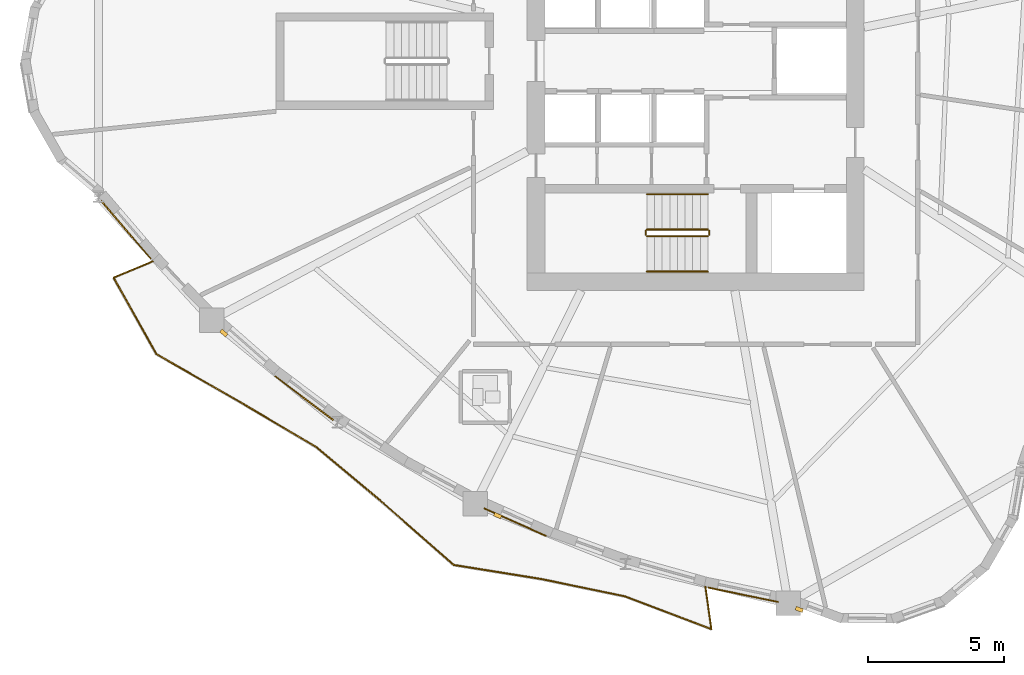
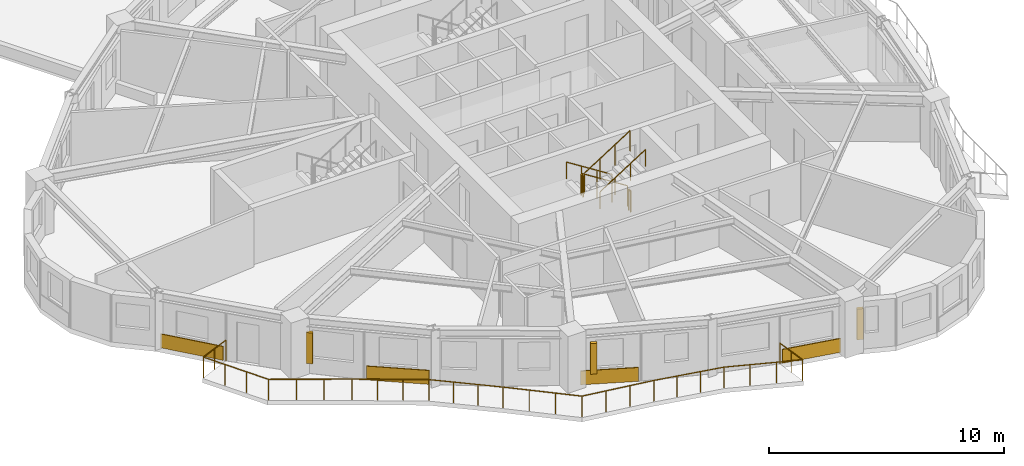
# One storey, part 10 of 13: 7 railings, 4 coverings, 3 shading devices.
"""IFC4 building model written with IfcOpenShell, lengths in metres."""

import ifcopenshell
import ifcopenshell.guid

model = None  # the IFC model being written
_history = None  # IfcOwnerHistory: only IFC2X3 demands one
_inside = {}  # id of a spatial element -> (the spatial element, [elements in it])
_under = {}  # id of a project, library or spatial element -> (it, [spatial elements below it])
_declared = {}  # id of a project -> (the project, [libraries it declares])
_typed = {}  # id of a type object -> (the type object, [elements of that type])
_made_of = {}  # id of a material, layer set ... -> (it, [elements and type objects made of it])


def new_model(schema):
    """Start an empty IFC model of exactly this schema.

    Asked for "IFC4X3", IfcOpenShell would pick the latest addendum, in which some entities
    have other attributes; the version numbers below select the first issue.
    IFC2X3 requires an IfcOwnerHistory on every rooted entity: one is made here for all.
    """
    global model, _history
    if schema == "IFC4X3":
        model = ifcopenshell.file(schema_version=(4, 3, 0, 0))
    else:
        model = ifcopenshell.file(schema=schema)
    _inside.clear()
    _under.clear()
    _declared.clear()
    _typed.clear()
    _made_of.clear()
    _history = None
    if model.schema == "IFC2X3":
        org = make("IfcOrganization", Name="unknown")
        user = make(
            "IfcPersonAndOrganization",
            ThePerson=make("IfcPerson", FamilyName="unknown"),
            TheOrganization=org,
        )
        app = make(
            "IfcApplication",
            ApplicationDeveloper=org,
            Version="unknown",
            ApplicationFullName="unknown",
            ApplicationIdentifier="unknown",
        )
        _history = make(
            "IfcOwnerHistory",
            OwningUser=user,
            OwningApplication=app,
            ChangeAction="ADDED",
            CreationDate=0,
        )
    return model


def make(cls, **values):
    """One entity of the class cls with the attributes given. An attribute that is None is left unset."""
    return model.create_entity(
        cls, **{name: value for name, value in values.items() if value is not None}
    )


def rooted(cls, **values):
    """An entity with a GlobalId (a new one), such as an element, a storey or a relation."""
    return make(cls, GlobalId=ifcopenshell.guid.new(), OwnerHistory=_history, **values)


def si_unit(unit_type, name, prefix=None):
    """IfcSIUnit, for example si_unit("LENGTHUNIT", "METRE", prefix="MILLI")."""
    return make("IfcSIUnit", UnitType=unit_type, Prefix=prefix, Name=name)


def assignment(units):
    """IfcUnitAssignment: the units of a project."""
    return None if units is None else make("IfcUnitAssignment", Units=units)


def point(xyz):
    """IfcCartesianPoint."""
    return None if xyz is None else make("IfcCartesianPoint", Coordinates=xyz)


def direction(xyz):
    """IfcDirection."""
    return None if xyz is None else make("IfcDirection", DirectionRatios=xyz)


def frame(location, z_axis=None, x_axis=None):
    """IfcAxis2Placement3D, a coordinate frame: its origin and axes. An axis left out is left unset."""
    return make(
        "IfcAxis2Placement3D",
        Location=point(location),
        Axis=direction(z_axis),
        RefDirection=direction(x_axis),
    )


def frame_2d(location, x_axis=None):
    """IfcAxis2Placement2D, a coordinate frame in the plane: its origin and x axis."""
    return make(
        "IfcAxis2Placement2D", Location=point(location), RefDirection=direction(x_axis)
    )


def origin():
    """The frame at (0, 0, 0) with its axes left unset."""
    return frame((0.0, 0.0, 0.0))


def origin_2d():
    """The frame at (0, 0) in the plane with its x axis left unset."""
    return frame_2d((0.0, 0.0))


def place(relative_to, where):
    """IfcLocalPlacement: puts the frame where relative to a parent placement (None: the world)."""
    return make(
        "IfcLocalPlacement", PlacementRelTo=relative_to, RelativePlacement=where
    )


def context(
    kind, dimensions, precision=None, world=None, true_north=None, identifier=None
):
    """IfcGeometricRepresentationContext, for example the 3D "Model" context."""
    return make(
        "IfcGeometricRepresentationContext",
        ContextIdentifier=identifier,
        ContextType=kind,
        CoordinateSpaceDimension=dimensions,
        Precision=precision,
        WorldCoordinateSystem=world,
        TrueNorth=true_north,
    )


def subcontext(parent, identifier, kind, view, scale=None):
    """IfcGeometricRepresentationSubContext, for example "Body" below "Model"."""
    return make(
        "IfcGeometricRepresentationSubContext",
        ContextIdentifier=identifier,
        ContextType=kind,
        ParentContext=parent,
        TargetScale=scale,
        TargetView=view,
    )


def project(units=None, contexts=None):
    """IfcProject with its units and contexts."""
    return rooted(
        "IfcProject",
        Name="project",
        RepresentationContexts=contexts,
        UnitsInContext=assignment(units),
    )


def spatial(cls, under=None, at=None, **own):
    """A site, building, storey or space (cls), placed at a placement, below another one or the project."""
    s = rooted(cls, ObjectPlacement=at, **own)
    if under is not None:
        _under.setdefault(under.id(), (under, []))[1].append(s)
    return s


def profile(cls, at=None, kind="AREA", **sizes):
    """A parametric profile (cls). Its sizes go by their IFC names, for example OverallWidth=200.0."""
    return make(cls, ProfileType=kind, Position=at, **sizes)


def rectangle(**sizes):
    """IfcRectangleProfileDef."""
    return profile("IfcRectangleProfileDef", **sizes)


def circle(**sizes):
    """IfcCircleProfileDef."""
    return profile("IfcCircleProfileDef", **sizes)


def extrude(swept, where, along, depth):
    """IfcExtrudedAreaSolid: the profile swept, set in the frame where, extruded along a direction by depth."""
    return make(
        "IfcExtrudedAreaSolid",
        SweptArea=swept,
        Position=where,
        ExtrudedDirection=direction(along),
        Depth=depth,
    )


def shape(context_of_items, identifier, shape_type, items):
    """IfcShapeRepresentation: the items that make up one representation, for example the "Body"."""
    return make(
        "IfcShapeRepresentation",
        ContextOfItems=context_of_items,
        RepresentationIdentifier=identifier,
        RepresentationType=shape_type,
        Items=items,
    )


def source(mapping_origin, context_of_items, identifier, shape_type, items):
    """IfcRepresentationMap: a shape defined once, which mapped items show again and again."""
    return make(
        "IfcRepresentationMap",
        MappingOrigin=mapping_origin,
        MappedRepresentation=shape(context_of_items, identifier, shape_type, items),
    )


def transform(
    local_origin,
    x_axis=None,
    y_axis=None,
    z_axis=None,
    scale=None,
    scale2=None,
    scale3=None,
    uniform=True,
):
    """IfcCartesianTransformationOperator3D, or its non-uniform kind. x_axis, y_axis, z_axis: its Axis1, 2, 3."""
    if uniform:
        return make(
            "IfcCartesianTransformationOperator3D",
            Axis1=direction(x_axis),
            Axis2=direction(y_axis),
            LocalOrigin=point(local_origin),
            Scale=scale,
            Axis3=direction(z_axis),
        )
    return make(
        "IfcCartesianTransformationOperator3DnonUniform",
        Axis1=direction(x_axis),
        Axis2=direction(y_axis),
        LocalOrigin=point(local_origin),
        Scale=scale,
        Axis3=direction(z_axis),
        Scale2=scale2,
        Scale3=scale3,
    )


def mapped(mapping_source, mapping_target):
    """IfcMappedItem: shows the shape of a source again, moved by a transform."""
    return make(
        "IfcMappedItem", MappingSource=mapping_source, MappingTarget=mapping_target
    )


def material(Name=None, Category=None):
    """IfcMaterial."""
    return make("IfcMaterial", Name=Name, Category=Category)


def layer(
    of_material, thickness, ventilated=None, Name=None, Category=None, Priority=None
):
    """IfcMaterialLayer: one layer of a wall or slab, of a material (None: an air gap)."""
    return make(
        "IfcMaterialLayer",
        Material=of_material,
        LayerThickness=thickness,
        IsVentilated=ventilated,
        Name=Name,
        Category=Category,
        Priority=Priority,
    )


def layer_set(layers, Name=None):
    """IfcMaterialLayerSet."""
    return make("IfcMaterialLayerSet", MaterialLayers=layers, LayerSetName=Name)


def made_of(thing, what):
    """Note that an element or type object is made of a material, layer set ...; save() writes the relation."""
    if what is not None:
        _made_of.setdefault(what.id(), (what, []))[1].append(thing)
    return thing


def type_object(cls, material=None, **own):
    """A type object (cls), such as IfcWallType, which elements share."""
    return made_of(rooted(cls, **own), material)


def element(
    cls,
    number,
    at=None,
    inside=None,
    cuts=None,
    type_object=None,
    material=None,
    context=None,
    identifier="Body",
    shape_type=None,
    held_by="IfcProductDefinitionShape",
    body=None,
    shapes=None,
    **own,
):
    """One element of the class cls, such as IfcWall. Its Tag is "e" and its number.

    at: its placement. inside: the storey or other place that contains it. cuts: it is an
    opening in that element (IfcRelVoidsElement). A single representation is given by context,
    identifier, shape_type and body (its items); several are given by shapes. held_by: the class
    of the entity that holds the representations. save() writes the other relations.
    """
    e = rooted(cls, Tag="e%d" % number, ObjectPlacement=at, **own)
    if body is not None:
        shapes = [shape(context, identifier, shape_type, body)]
    if shapes is not None:
        e.Representation = make(held_by, Representations=shapes)
    if inside is not None:
        _inside.setdefault(inside.id(), (inside, []))[1].append(e)
    if cuts is not None:
        rooted(
            "IfcRelVoidsElement", RelatingBuildingElement=cuts, RelatedOpeningElement=e
        )
    if type_object is not None:
        _typed.setdefault(type_object.id(), (type_object, []))[1].append(e)
    return made_of(e, material)


def aggregate(whole, parts):
    """IfcRelAggregates: a whole, such as a stair, and the parts it consists of."""
    return rooted("IfcRelAggregates", RelatingObject=whole, RelatedObjects=parts)


def save(model, path):
    """Write the relations noted so far, then the file.

    IfcRelAggregates (storeys below a building ...), IfcRelContainedInSpatialStructure (elements
    in a storey), IfcRelDefinesByType, IfcRelAssociatesMaterial and IfcRelDeclares: one each for
    every whole, place, type object, material and project.
    """
    for whole, parts in _under.values():
        aggregate(whole, parts)
    for where, things in _inside.values():
        rooted(
            "IfcRelContainedInSpatialStructure",
            RelatedElements=things,
            RelatingStructure=where,
        )
    for kind, things in _typed.values():
        rooted("IfcRelDefinesByType", RelatedObjects=things, RelatingType=kind)
    for what, things in _made_of.values():
        rooted("IfcRelAssociatesMaterial", RelatedObjects=things, RelatingMaterial=what)
    for by, libraries in _declared.values():
        rooted("IfcRelDeclares", RelatingContext=by, RelatedDefinitions=libraries)
    model.write(path)


model = new_model("IFC4")

# Units and contexts
model_context = context("Model", 3, precision=1e-05, world=origin(), true_north=direction((0.0, 1.0)))
body_context = subcontext(model_context, "Body", "Model", "MODEL_VIEW")
ifc_project = project(units=[si_unit("LENGTHUNIT", "METRE"), si_unit("AREAUNIT", "SQUARE_METRE"), si_unit("VOLUMEUNIT", "CUBIC_METRE"), si_unit("PLANEANGLEUNIT", "RADIAN"), si_unit("MASSUNIT", "GRAM", prefix="KILO")], contexts=[model_context])

# Site, building, storey
site_placement = place(None, origin())
site = spatial("IfcSite", under=ifc_project, at=site_placement, CompositionType="ELEMENT")
building_placement = place(site_placement, origin())
building = spatial("IfcBuilding", under=site, at=building_placement, Name="Qafzar Sky-Pleat Residences", CompositionType="ELEMENT")
storey_placement = place(building_placement, frame((0.0, 0.0, 89.60009765625)))
storey = spatial("IfcBuildingStorey", under=building, at=storey_placement, Name="L26", CompositionType="ELEMENT", Elevation=89.60009765625)

# Shading devices
ifc_material_1 = material(Name="Honed Riyadh limestone solar fin", Category="masonry")
ifc_layer_1 = layer(ifc_material_1, 0.139892578125)
ifc_layer_set_1 = layer_set([ifc_layer_1], Name="Honed Riyadh limestone solar fin")
shading_device_type = type_object("IfcShadingDeviceType", Name="SHD-FIN-STONE", PredefinedType="SHUTTER", material=ifc_layer_set_1)
shared_shape_1 = source(origin(), body_context, "Body", "SweptSolid", [
    extrude(rectangle(XDim=0.139892578125, YDim=0.280029296875, at=origin_2d()), origin(), (0.0, 0.0, 1.0), 1.60009765625),
])
for number, where, z_axis, x_axis, name in (
    (1, (12.978759765625, 15.98828125, 0.599853515625), (0.0, 0.0, 1.0), (-0.659725897648, -0.751506313994, 0.0), "L26 Limestone Solar Fin 9"),
    (2, (23.0615234375, 9.26611328125, 0.599853515625), (0.0, 0.0, 1.0), (-0.407013898122, -0.913421965324, 0.0), "L26 Limestone Solar Fin 13"),
    (3, (34.164306640625, 5.81201171875, 0.599853515625), (0.0, 0.0, 1.0), (-0.349823000797, -0.936815813334, 0.0), "L26 Limestone Solar Fin 17"),
):
    element("IfcShadingDevice", number, at=place(storey_placement, frame(where, z_axis=z_axis, x_axis=x_axis)), inside=storey, type_object=shading_device_type, Name=name, PredefinedType="SHUTTER", context=body_context, shape_type="MappedRepresentation", body=[
        mapped(shared_shape_1, transform((0.0, 0.0, 0.0), x_axis=(1.0, 0.0, 0.0), y_axis=(0.0, 1.0, 0.0), z_axis=(0.0, 0.0, 1.0), scale=1.0)),
    ])

# Railing
ifc_material_2 = material(Name="Laminated glass and bronze steel balustrade", Category="steel")
railing_type_1 = type_object("IfcRailingType", Name="RAIL-BAL-1100", PredefinedType="BALUSTRADE", material=ifc_material_2)
shared_shape_2 = source(origin(), body_context, "Body", "SweptSolid", [
    extrude(circle(Radius=0.02392578125, at=origin_2d()), frame((0.0, 0.0, 1.076171875), z_axis=(-0.922613917862, -0.385724718637, 0.0), x_axis=(0.385724718637, -0.922613917862, 0.0)), (0.0, 0.0, 1.0), 1.577880859375),
    extrude(circle(Radius=0.02392578125, at=origin_2d()), frame((-1.455810546875, -0.608642578125, 1.076171875), z_axis=(0.488116684055, -0.872778381233, 0.0), x_axis=(0.872778381233, 0.488116684055, 0.0)), (0.0, 0.0, 1.0), 3.2236328125),
    extrude(circle(Radius=0.02392578125, at=origin_2d()), frame((0.11767578125, -3.422119140625, 1.076171875), z_axis=(0.867778766006, -0.49695071513, 0.0), x_axis=(0.49695071513, 0.867778766006, 0.0)), (0.0, 0.0, 1.0), 3.561767578125),
    extrude(circle(Radius=0.02392578125, at=origin_2d()), frame((3.20849609375, -5.192138671875, 1.076171875), z_axis=(0.860859650558, -0.508842472718, 0.0), x_axis=(0.508842472718, 0.860859650558, 0.0)), (0.0, 0.0, 1.0), 3.270751953125),
    extrude(circle(Radius=0.02392578125, at=origin_2d()), frame((6.024169921875, -6.8564453125, 1.076171875), z_axis=(0.76653872702, -0.642198084689, 0.0), x_axis=(0.642198084689, 0.76653872702, 0.0)), (0.0, 0.0, 1.0), 3.204345703125),
    extrude(circle(Radius=0.02392578125, at=origin_2d()), frame((8.48046875, -8.914306640625, 1.076171875), z_axis=(0.75086023656, -0.66046113069, 0.0), x_axis=(0.66046113069, 0.75086023656, 0.0)), (0.0, 0.0, 1.0), 3.4326171875),
    extrude(circle(Radius=0.02392578125, at=origin_2d()), frame((11.057861328125, -11.181396484375, 1.076171875), z_axis=(0.987281530918, -0.158981692998, 0.0), x_axis=(0.158981692998, 0.987281530918, 0.0)), (0.0, 0.0, 1.0), 3.275634765625),
    extrude(circle(Radius=0.02392578125, at=origin_2d()), frame((14.291748046875, -11.7021484375, 1.076171875), z_axis=(0.97921848132, -0.20280819964, 0.0), x_axis=(0.20280819964, 0.97921848132, 0.0)), (0.0, 0.0, 1.0), 3.14794921875),
    extrude(circle(Radius=0.02392578125, at=origin_2d()), frame((17.374267578125, -12.340576171875, 1.076171875), z_axis=(0.934723383359, -0.355376133978, 0.0), x_axis=(0.355376133978, 0.934723383359, 0.0)), (0.0, 0.0, 1.0), 3.39453125),
    extrude(circle(Radius=0.02392578125, at=origin_2d()), frame((20.547119140625, -13.546875, 1.076171875), z_axis=(-0.138626600479, 0.99034472061, 0.0), x_axis=(-0.99034472061, -0.138626600479, 0.0)), (0.0, 0.0, 1.0), 1.577880859375),
    extrude(circle(Radius=0.02099609375, at=origin_2d()), origin(), (0.0, 0.0, 1.0), 1.052001953125),
    extrude(circle(Radius=0.02099609375, at=origin_2d()), frame((-0.72802734375, -0.30419921875, 0.0)), (0.0, 0.0, 1.0), 1.052001953125),
    extrude(circle(Radius=0.02099609375, at=origin_2d()), frame((-1.455810546875, -0.608642578125, 0.0)), (0.0, 0.0, 1.0), 1.052001953125),
    extrude(circle(Radius=0.02099609375, at=origin_2d()), frame((-0.931396484375, -1.54638671875, 0.0)), (0.0, 0.0, 1.0), 1.052001953125),
    extrude(circle(Radius=0.02099609375, at=origin_2d()), frame((-0.40673828125, -2.484375, 0.0)), (0.0, 0.0, 1.0), 1.052001953125),
    extrude(circle(Radius=0.02099609375, at=origin_2d()), frame((0.11767578125, -3.422119140625, 0.0)), (0.0, 0.0, 1.0), 1.052001953125),
    extrude(circle(Radius=0.02099609375, at=origin_2d()), frame((1.14794921875, -4.01220703125, 0.0)), (0.0, 0.0, 1.0), 1.052001953125),
    extrude(circle(Radius=0.02099609375, at=origin_2d()), frame((2.17822265625, -4.60205078125, 0.0)), (0.0, 0.0, 1.0), 1.052001953125),
    extrude(circle(Radius=0.02099609375, at=origin_2d()), frame((3.20849609375, -5.192138671875, 0.0)), (0.0, 0.0, 1.0), 1.052001953125),
    extrude(circle(Radius=0.02099609375, at=origin_2d()), frame((4.14697265625, -5.746826171875, 0.0)), (0.0, 0.0, 1.0), 1.052001953125),
    extrude(circle(Radius=0.02099609375, at=origin_2d()), frame((5.085693359375, -6.3017578125, 0.0)), (0.0, 0.0, 1.0), 1.052001953125),
    extrude(circle(Radius=0.02099609375, at=origin_2d()), frame((6.024169921875, -6.8564453125, 0.0)), (0.0, 0.0, 1.0), 1.052001953125),
    extrude(circle(Radius=0.02099609375, at=origin_2d()), frame((6.843017578125, -7.54248046875, 0.0)), (0.0, 0.0, 1.0), 1.052001953125),
    extrude(circle(Radius=0.02099609375, at=origin_2d()), frame((7.66162109375, -8.228271484375, 0.0)), (0.0, 0.0, 1.0), 1.052001953125),
    extrude(circle(Radius=0.02099609375, at=origin_2d()), frame((8.48046875, -8.914306640625, 0.0)), (0.0, 0.0, 1.0), 1.052001953125),
    extrude(circle(Radius=0.02099609375, at=origin_2d()), frame((9.339599609375, -9.669921875, 0.0)), (0.0, 0.0, 1.0), 1.052001953125),
    extrude(circle(Radius=0.02099609375, at=origin_2d()), frame((10.19873046875, -10.42578125, 0.0)), (0.0, 0.0, 1.0), 1.052001953125),
    extrude(circle(Radius=0.02099609375, at=origin_2d()), frame((11.057861328125, -11.181396484375, 0.0)), (0.0, 0.0, 1.0), 1.052001953125),
    extrude(circle(Radius=0.02099609375, at=origin_2d()), frame((12.1357421875, -11.35498046875, 0.0)), (0.0, 0.0, 1.0), 1.052001953125),
    extrude(circle(Radius=0.02099609375, at=origin_2d()), frame((13.2138671875, -11.528564453125, 0.0)), (0.0, 0.0, 1.0), 1.052001953125),
    extrude(circle(Radius=0.02099609375, at=origin_2d()), frame((14.291748046875, -11.7021484375, 0.0)), (0.0, 0.0, 1.0), 1.052001953125),
    extrude(circle(Radius=0.02099609375, at=origin_2d()), frame((15.3193359375, -11.9150390625, 0.0)), (0.0, 0.0, 1.0), 1.052001953125),
    extrude(circle(Radius=0.02099609375, at=origin_2d()), frame((16.3466796875, -12.127685546875, 0.0)), (0.0, 0.0, 1.0), 1.052001953125),
    extrude(circle(Radius=0.02099609375, at=origin_2d()), frame((17.374267578125, -12.340576171875, 0.0)), (0.0, 0.0, 1.0), 1.052001953125),
    extrude(circle(Radius=0.02099609375, at=origin_2d()), frame((18.431884765625, -12.74267578125, 0.0)), (0.0, 0.0, 1.0), 1.052001953125),
    extrude(circle(Radius=0.02099609375, at=origin_2d()), frame((19.489501953125, -13.144775390625, 0.0)), (0.0, 0.0, 1.0), 1.052001953125),
    extrude(circle(Radius=0.02099609375, at=origin_2d()), frame((20.547119140625, -13.546875, 0.0)), (0.0, 0.0, 1.0), 1.052001953125),
    extrude(circle(Radius=0.02099609375, at=origin_2d()), frame((20.437744140625, -12.765625, 0.0)), (0.0, 0.0, 1.0), 1.052001953125),
    extrude(circle(Radius=0.02099609375, at=origin_2d()), frame((20.328369140625, -11.984130859375, 0.0)), (0.0, 0.0, 1.0), 1.052001953125),
])
railing_1_placement = place(storey_placement, frame((10.38134765625, 18.63330078125, 0.0)))
element("IfcRailing", 4, at=railing_1_placement, inside=storey, type_object=railing_type_1, Name="L26 Pleated Balcony 2 Balustrade", PredefinedType="BALUSTRADE", context=body_context, shape_type="MappedRepresentation", body=[
    mapped(shared_shape_2, transform((0.0, 0.0, 0.0), x_axis=(1.0, 0.0, 0.0), y_axis=(0.0, 1.0, 0.0), z_axis=(0.0, 0.0, 1.0), scale=1.0)),
])

# Coverings
ifc_material_3 = material(Name="Honed Riyadh Tuwaiq limestone cladding", Category="masonry")
ifc_layer_2 = layer(ifc_material_3, 0.044921875)
ifc_layer_set_2 = layer_set([ifc_layer_2], Name="Honed Riyadh Tuwaiq limestone cladding")
covering_type = type_object("IfcCoveringType", Name="COV-CLAD-STONE", PredefinedType="CLADDING", material=ifc_layer_set_2)
shared_shape_3 = source(origin(), body_context, "Body", "SweptSolid", [
    extrude(rectangle(XDim=2.8203125, YDim=0.044921875, at=origin_2d()), origin(), (0.0, 0.0, 1.0), 0.719970703125),
])
covering_1_placement = place(storey_placement, frame((9.380859375, 19.784423828125, 0.02001953125), z_axis=(0.0, 0.0, 1.0), x_axis=(0.650751949788, -0.759290392306, 0.0)))
element("IfcCovering", 5, at=covering_1_placement, inside=storey, type_object=covering_type, Name="L26 Riyadh Limestone Spandrel Cladding 7", PredefinedType="CLADDING", context=body_context, shape_type="MappedRepresentation", body=[
    mapped(shared_shape_3, transform((0.0, 0.0, 0.0), x_axis=(1.0, 0.0, 0.0), y_axis=(0.0, 1.0, 0.0), z_axis=(0.0, 0.0, 1.0), scale=1.0)),
])
shared_shape_4 = source(origin(), body_context, "Body", "SweptSolid", [
    extrude(rectangle(XDim=2.6865234375, YDim=0.044921875, at=origin_2d()), origin(), (0.0, 0.0, 1.0), 0.719970703125),
])
covering_2_placement = place(storey_placement, frame((15.9365234375, 13.59228515625, 0.02001953125), z_axis=(0.0, 0.0, 1.0), x_axis=(0.798389092488, -0.602141891082, 0.0)))
element("IfcCovering", 6, at=covering_2_placement, inside=storey, type_object=covering_type, Name="L26 Riyadh Limestone Spandrel Cladding 10", PredefinedType="CLADDING", context=body_context, shape_type="MappedRepresentation", body=[
    mapped(shared_shape_4, transform((0.0, 0.0, 0.0), x_axis=(1.0, 0.0, 0.0), y_axis=(0.0, 1.0, 0.0), z_axis=(0.0, 0.0, 1.0), scale=1.0)),
])
shared_shape_5 = source(origin(), body_context, "Body", "SweptSolid", [
    extrude(rectangle(XDim=2.49755859375, YDim=0.044921875, at=origin_2d()), origin(), (0.0, 0.0, 1.0), 0.719970703125),
])
covering_3_placement = place(storey_placement, frame((23.704833984375, 9.026611328125, 0.02001953125), z_axis=(0.0, 0.0, 1.0), x_axis=(0.913414340763, -0.407031008756, 0.0)))
element("IfcCovering", 7, at=covering_3_placement, inside=storey, type_object=covering_type, Name="L26 Riyadh Limestone Spandrel Cladding 13", PredefinedType="CLADDING", context=body_context, shape_type="MappedRepresentation", body=[
    mapped(shared_shape_5, transform((0.0, 0.0, 0.0), x_axis=(1.0, 0.0, 0.0), y_axis=(0.0, 1.0, 0.0), z_axis=(0.0, 0.0, 1.0), scale=1.0)),
])
shared_shape_6 = source(origin(), body_context, "Body", "SweptSolid", [
    extrude(rectangle(XDim=2.631103515625, YDim=0.044921875, at=origin_2d()), origin(), (0.0, 0.0, 1.0), 0.719970703125),
])
covering_4_placement = place(storey_placement, frame((32.097900390625, 6.352294921875, 0.02001953125), z_axis=(0.0, 0.0, 1.0), x_axis=(0.979430208869, -0.201783215244, 0.0)))
element("IfcCovering", 8, at=covering_4_placement, inside=storey, type_object=covering_type, Name="L26 Riyadh Limestone Spandrel Cladding 16", PredefinedType="CLADDING", context=body_context, shape_type="MappedRepresentation", body=[
    mapped(shared_shape_6, transform((0.0, 0.0, 0.0), x_axis=(1.0, 0.0, 0.0), y_axis=(0.0, 1.0, 0.0), z_axis=(0.0, 0.0, 1.0), scale=1.0)),
])

# Railings
ifc_material_4 = material(Name="Painted Steel S355 stair guardrail", Category="steel")
railing_type_2 = type_object("IfcRailingType", Name="RAIL-STAIR-GUARD", PredefinedType="GUARDRAIL", material=ifc_material_4)
shared_shape_7 = source(origin(), body_context, "Body", "SweptSolid", [
    extrude(circle(Radius=0.02392578125, at=origin_2d()), frame((0.0, 0.0, 1.076171875), z_axis=(0.0, -1.0, 0.0), x_axis=(1.0, 0.0, 0.0)), (0.0, 0.0, 1.0), 0.14990234375),
    extrude(circle(Radius=0.02099609375, at=origin_2d()), origin(), (0.0, 0.0, 1.0), 1.052001953125),
    extrude(circle(Radius=0.02099609375, at=origin_2d()), frame((0.0, -0.14990234375, 0.0)), (0.0, 0.0, 1.0), 1.052001953125),
])
for number, where, name in (
    (9, (28.510009765625, 19.75, 1.599853515625), "L26 ST1 stair guard 2"),
    (10, (30.85009765625, 19.75, 0.0), "L26 ST1 stair guard 4"),
):
    element("IfcRailing", number, at=place(storey_placement, frame(where)), inside=storey, type_object=railing_type_2, Name=name, PredefinedType="GUARDRAIL", context=body_context, shape_type="MappedRepresentation", body=[
        mapped(shared_shape_7, transform((0.0, 0.0, 0.0), x_axis=(1.0, 0.0, 0.0), y_axis=(0.0, 1.0, 0.0), z_axis=(0.0, 0.0, 1.0), scale=1.0)),
    ])
shared_shape_8 = source(origin(), body_context, "Body", "SweptSolid", [
    extrude(circle(Radius=0.02392578125, at=origin_2d()), frame((0.0, 0.0, 1.076171875), z_axis=(-0.8442293374, 0.0, 0.53598211339), x_axis=(0.0, -1.0, 0.0)), (0.0, 0.0, 1.0), 2.6533203125),
    extrude(circle(Radius=0.02099609375, at=origin_2d()), origin(), (0.0, 0.0, 1.0), 1.052001953125),
    extrude(circle(Radius=0.02099609375, at=origin_2d()), frame((-0.74658203125, 0.0, 0.47412109375)), (0.0, 0.0, 1.0), 1.052001953125),
    extrude(circle(Radius=0.02099609375, at=origin_2d()), frame((-1.493408203125, 0.0, 0.947998046875)), (0.0, 0.0, 1.0), 1.052001953125),
    extrude(circle(Radius=0.02099609375, at=origin_2d()), frame((-2.239990234375, 0.0, 1.422119140625)), (0.0, 0.0, 1.0), 1.052001953125),
])
railing_2_placement = place(storey_placement, frame((30.800048828125, 19.800048828125, 0.177734375)))
element("IfcRailing", 11, at=railing_2_placement, inside=storey, type_object=railing_type_2, Name="L26 ST1 stair guard 1", PredefinedType="GUARDRAIL", context=body_context, shape_type="MappedRepresentation", body=[
    mapped(shared_shape_8, transform((0.0, 0.0, 0.0), x_axis=(1.0, 0.0, 0.0), y_axis=(0.0, 1.0, 0.0), z_axis=(0.0, 0.0, 1.0), scale=1.0)),
])
ifc_material_5 = material(Name="Brushed stainless steel handrail", Category="steel")
railing_type_3 = type_object("IfcRailingType", Name="RAIL-STAIR-HAND", PredefinedType="HANDRAIL", material=ifc_material_5)
shared_shape_9 = source(origin(), body_context, "Body", "SweptSolid", [
    extrude(circle(Radius=0.02392578125, at=origin_2d()), frame((0.0, 0.0, 0.8759765625), z_axis=(-0.8442293374, 0.0, 0.53598211339), x_axis=(0.0, -1.0, 0.0)), (0.0, 0.0, 1.0), 2.6533203125),
    extrude(circle(Radius=0.02099609375, at=origin_2d()), origin(), (0.0, 0.0, 1.0), 0.851806640625),
    extrude(circle(Radius=0.02099609375, at=origin_2d()), frame((-0.74658203125, 0.0, 0.47412109375)), (0.0, 0.0, 1.0), 0.851806640625),
    extrude(circle(Radius=0.02099609375, at=origin_2d()), frame((-1.493408203125, 0.0, 0.947998046875)), (0.0, 0.0, 1.0), 0.851806640625),
    extrude(circle(Radius=0.02099609375, at=origin_2d()), frame((-2.239990234375, 0.0, 1.422119140625)), (0.0, 0.0, 1.0), 0.851806640625),
])
railing_3_placement = place(storey_placement, frame((30.800048828125, 21.10009765625, 0.177734375)))
element("IfcRailing", 12, at=railing_3_placement, inside=storey, type_object=railing_type_3, Name="L26 ST1 stair handrail 1", PredefinedType="HANDRAIL", context=body_context, shape_type="MappedRepresentation", body=[
    mapped(shared_shape_9, transform((0.0, 0.0, 0.0), x_axis=(1.0, 0.0, 0.0), y_axis=(0.0, 1.0, 0.0), z_axis=(0.0, 0.0, 1.0), scale=1.0)),
])
shared_shape_10 = source(origin(), body_context, "Body", "SweptSolid", [
    extrude(circle(Radius=0.02392578125, at=origin_2d()), frame((0.0, 0.0, 1.076171875), z_axis=(0.84418770128, 0.0, 0.536047689118), x_axis=(0.0, 1.0, 0.0)), (0.0, 0.0, 1.0), 2.6533203125),
    extrude(circle(Radius=0.02099609375, at=origin_2d()), origin(), (0.0, 0.0, 1.0), 1.052001953125),
    extrude(circle(Radius=0.02099609375, at=origin_2d()), frame((0.74658203125, 0.0, 0.47412109375)), (0.0, 0.0, 1.0), 1.052001953125),
    extrude(circle(Radius=0.02099609375, at=origin_2d()), frame((1.493408203125, 0.0, 0.9482421875)), (0.0, 0.0, 1.0), 1.052001953125),
    extrude(circle(Radius=0.02099609375, at=origin_2d()), frame((2.239990234375, 0.0, 1.42236328125)), (0.0, 0.0, 1.0), 1.052001953125),
])
railing_4_placement = place(storey_placement, frame((28.56005859375, 19.550048828125, 1.777587890625)))
element("IfcRailing", 13, at=railing_4_placement, inside=storey, type_object=railing_type_2, Name="L26 ST1 stair guard 3", PredefinedType="GUARDRAIL", context=body_context, shape_type="MappedRepresentation", body=[
    mapped(shared_shape_10, transform((0.0, 0.0, 0.0), x_axis=(1.0, 0.0, 0.0), y_axis=(0.0, 1.0, 0.0), z_axis=(0.0, 0.0, 1.0), scale=1.0)),
])
shared_shape_11 = source(origin(), body_context, "Body", "SweptSolid", [
    extrude(circle(Radius=0.02392578125, at=origin_2d()), frame((0.0, 0.0, 0.8759765625), z_axis=(0.84418770128, 0.0, 0.536047689118), x_axis=(0.0, 1.0, 0.0)), (0.0, 0.0, 1.0), 2.6533203125),
    extrude(circle(Radius=0.02099609375, at=origin_2d()), origin(), (0.0, 0.0, 1.0), 0.851806640625),
    extrude(circle(Radius=0.02099609375, at=origin_2d()), frame((0.74658203125, 0.0, 0.47412109375)), (0.0, 0.0, 1.0), 0.851806640625),
    extrude(circle(Radius=0.02099609375, at=origin_2d()), frame((1.493408203125, 0.0, 0.9482421875)), (0.0, 0.0, 1.0), 0.851806640625),
    extrude(circle(Radius=0.02099609375, at=origin_2d()), frame((2.239990234375, 0.0, 1.42236328125)), (0.0, 0.0, 1.0), 0.851806640625),
])
railing_5_placement = place(storey_placement, frame((28.56005859375, 18.25, 1.777587890625)))
element("IfcRailing", 14, at=railing_5_placement, inside=storey, type_object=railing_type_3, Name="L26 ST1 stair handrail 2", PredefinedType="HANDRAIL", context=body_context, shape_type="MappedRepresentation", body=[
    mapped(shared_shape_11, transform((0.0, 0.0, 0.0), x_axis=(1.0, 0.0, 0.0), y_axis=(0.0, 1.0, 0.0), z_axis=(0.0, 0.0, 1.0), scale=1.0)),
])

save(model, "model.ifc")
